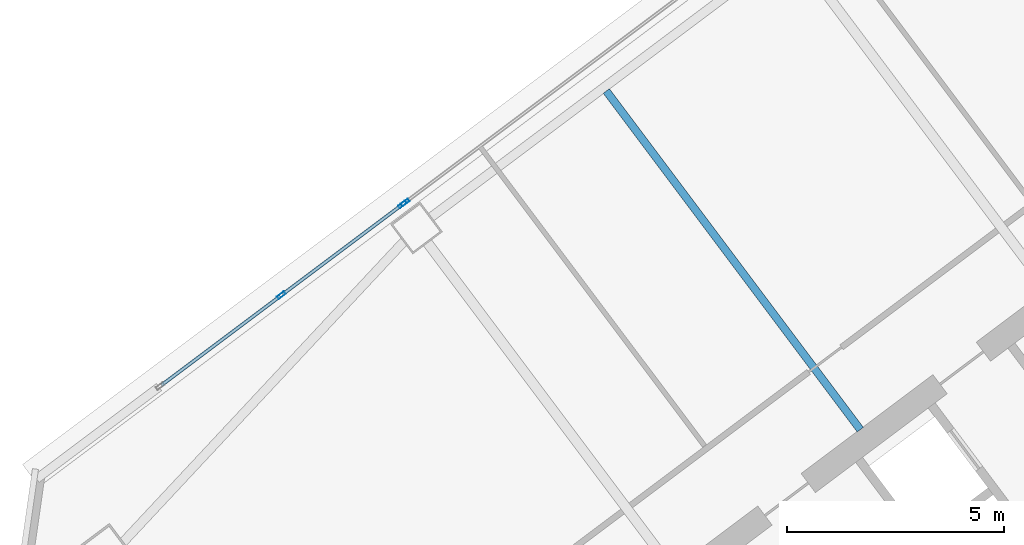
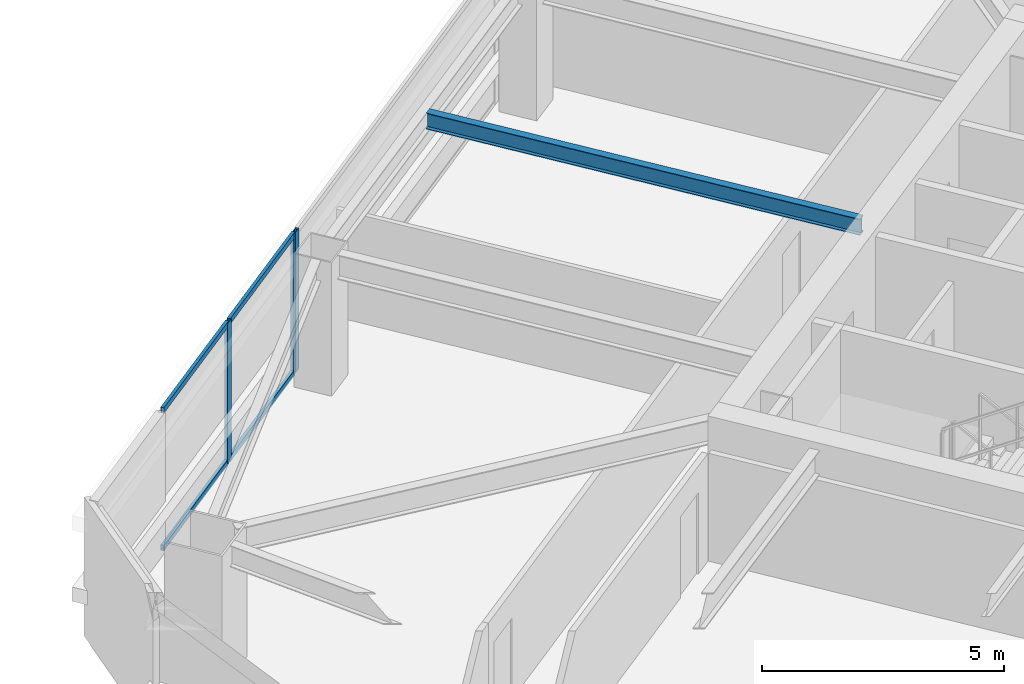
# One storey, part 27 of 44: 7 members, 1 beam, 2 elements without a shape of their own.
"""IFC4 building model written with IfcOpenShell, lengths in metres."""

from ifc_helpers import new_model, si_unit, direction, frame, origin, origin_2d, place, context, subcontext, project, spatial, hollow_rectangle, i_section, extrude, material, material_profile, profile_set, type_object, element, aggregate, save


model = new_model("IFC4")

# Units and contexts
model_context = context("Model", 3, precision=1e-05, world=origin(), true_north=direction((0.0, 1.0)))
body_context = subcontext(model_context, "Body", "Model", "MODEL_VIEW")
ifc_project = project(units=[si_unit("LENGTHUNIT", "METRE"), si_unit("AREAUNIT", "SQUARE_METRE"), si_unit("VOLUMEUNIT", "CUBIC_METRE"), si_unit("PLANEANGLEUNIT", "RADIAN"), si_unit("MASSUNIT", "GRAM", prefix="KILO")], contexts=[model_context])

# Site, building, storey
site_placement = place(None, origin())
site = spatial("IfcSite", under=ifc_project, at=site_placement, CompositionType="ELEMENT")
building_placement = place(site_placement, origin())
building = spatial("IfcBuilding", under=site, at=building_placement, Name="Tashvorn Skyway Center", CompositionType="ELEMENT")
storey_placement = place(building_placement, frame((0.0, 0.0, 149.89990234375)))
storey = spatial("IfcBuildingStorey", under=building, at=storey_placement, Name="L40", CompositionType="ELEMENT", Elevation=149.89990234375)

# Beam
ifc_material_1 = material(Name="Steel ASTM A992 Grade 50", Category="steel")
ifc_material_profile_1 = material_profile(ifc_material_1, i_section(OverallWidth=0.177978515625, OverallDepth=0.406005859375, WebThickness=0.0078125, FlangeThickness=0.0126953125, at=origin_2d()), Name="W16X40")
ifc_profile_set_1 = profile_set([ifc_material_profile_1], Name="Steel ASTM A992 Grade 50")
beam_type = type_object("IfcBeamType", Name="BM-JOIST-W16X40", PredefinedType="JOIST", material=ifc_profile_set_1)
beam_placement = place(storey_placement, frame((109.325927734375, 38.23193359375, 3.1669921875), z_axis=(-0.599991997409, 0.800006001881, 0.0), x_axis=(-0.800006001881, -0.599991997409, 0.0)))
element("IfcBeam", 1, at=beam_placement, inside=storey, type_object=beam_type, Name="Tower 2 L40 Secondary Composite Joist JN", PredefinedType="JOIST", context=body_context, shape_type="SweptSolid", body=[
    extrude(i_section(OverallWidth=0.177978515625, OverallDepth=0.406005859375, WebThickness=0.0078125, FlangeThickness=0.0126953125, at=origin_2d()), origin(), (0.0, 0.0, 1.0), 9.762451171875),
])

# Curtain wall, members
ifc_material_2 = material(Name="Thermally broken bronze-anodized aluminium 6063-T6", Category="aluminium")
curtain_wall_type = type_object("IfcCurtainWallType", Name="CW-CW-Z3", PredefinedType="NOTDEFINED", material=ifc_material_2)
curtain_wall_1_placement = place(storey_placement, origin())
curtain_wall_1 = element("IfcCurtainWall", 2, at=curtain_wall_1_placement, inside=storey, type_object=curtain_wall_type, Name="Tower 2 L40 North Unitised Curtain Wall Glazing Group 1", PredefinedType="NOTDEFINED")
ifc_material_profile_2 = material_profile(ifc_material_2, hollow_rectangle(XDim=0.074951171875, YDim=0.199951171875, WallThickness=0.00439453125, at=origin_2d()), Name="ALU-MULL-75x200")
ifc_profile_set_2 = profile_set([ifc_material_profile_2], Name="Thermally broken bronze-anodized aluminium 6063-T6")
member_type_1 = type_object("IfcMemberType", Name="CWM-CW-Z3", PredefinedType="MULLION", material=ifc_profile_set_2)
member_1_placement = place(storey_placement, frame((95.97412109375, 41.33056640625, 0.0), z_axis=(0.0, 0.0, 1.0), x_axis=(-0.600004533995, 0.799996599484, 0.0)))
member_1 = element("IfcMember", 3, at=member_1_placement, type_object=member_type_1, Name="CW-Z3 mullion 2", PredefinedType="MULLION", context=body_context, shape_type="SweptSolid", body=[
    extrude(hollow_rectangle(XDim=0.074951171875, YDim=0.199951171875, WallThickness=0.00439453125, at=origin_2d()), origin(), (0.0, 0.0, 1.0), 3.550048828125),
])
member_2_placement = place(storey_placement, frame((98.767333984375, 43.425537109375, 0.0), z_axis=(0.0, 0.0, 1.0), x_axis=(-0.600004533995, 0.799996599484, 0.0)))
member_2 = element("IfcMember", 4, at=member_2_placement, type_object=member_type_1, Name="CW-Z3 mullion 3", PredefinedType="MULLION", context=body_context, shape_type="SweptSolid", body=[
    extrude(hollow_rectangle(XDim=0.074951171875, YDim=0.199951171875, WallThickness=0.00439453125, at=origin_2d()), origin(), (0.0, 0.0, 1.0), 3.550048828125),
])

# Curtain wall, member
curtain_wall_2_placement = place(storey_placement, origin())
curtain_wall_2 = element("IfcCurtainWall", 5, at=curtain_wall_2_placement, inside=storey, type_object=curtain_wall_type, Name="Tower 2 L40 North Unitised Curtain Wall Glazing Group 2", PredefinedType="NOTDEFINED")
member_3_placement = place(storey_placement, frame((98.827392578125, 43.470458984375, 0.0), z_axis=(0.0, 0.0, 1.0), x_axis=(-0.599996977339, 0.800002266987, 0.0)))
member_3 = element("IfcMember", 6, at=member_3_placement, type_object=member_type_1, Name="CW-Z3 mullion 1", PredefinedType="MULLION", context=body_context, shape_type="SweptSolid", body=[
    extrude(hollow_rectangle(XDim=0.074951171875, YDim=0.199951171875, WallThickness=0.00439453125, at=origin_2d()), origin(), (0.0, 0.0, 1.0), 3.550048828125),
])
aggregate(curtain_wall_2, [member_3])

# Member
ifc_material_profile_3 = material_profile(ifc_material_2, hollow_rectangle(XDim=0.074951171875, YDim=0.139892578125, WallThickness=0.004150390625, at=origin_2d()), Name="ALU-TRAN-75x140")
ifc_profile_set_3 = profile_set([ifc_material_profile_3], Name="Thermally broken bronze-anodized aluminium 6063-T6")
member_type_2 = type_object("IfcMemberType", Name="CWT-CW-Z3", PredefinedType="USERDEFINED", material=ifc_profile_set_3)
member_4_placement = place(storey_placement, frame((93.211181640625, 39.25830078125, 0.03759765625), z_axis=(0.799982847995, 0.600022868659, 0.0), x_axis=(-0.600022868659, 0.799982847995, 0.0)))
member_4 = element("IfcMember", 7, at=member_4_placement, type_object=member_type_2, Name="CW-Z3 transom 1.1", ObjectType="TRANSOM", PredefinedType="USERDEFINED", context=body_context, shape_type="SweptSolid", body=[
    extrude(hollow_rectangle(XDim=0.074951171875, YDim=0.139892578125, WallThickness=0.004150390625, at=origin_2d()), origin(), (0.0, 0.0, 1.0), 3.416259765625),
])

member_5_placement = place(storey_placement, frame((93.211181640625, 39.25830078125, 3.5126953125), z_axis=(0.799982847995, 0.600022868659, 0.0), x_axis=(-0.600022868659, 0.799982847995, 0.0)))
member_5 = element("IfcMember", 8, at=member_5_placement, type_object=member_type_2, Name="CW-Z3 transom 1.2", ObjectType="TRANSOM", PredefinedType="USERDEFINED", context=body_context, shape_type="SweptSolid", body=[
    extrude(hollow_rectangle(XDim=0.074951171875, YDim=0.139892578125, WallThickness=0.004150390625, at=origin_2d()), origin(), (0.0, 0.0, 1.0), 3.416259765625),
])

member_6_placement = place(storey_placement, frame((96.004150390625, 41.353271484375, 0.03759765625), z_axis=(0.800008575267, 0.59998856614, 0.0), x_axis=(-0.59998856614, 0.800008575267, 0.0)))
member_6 = element("IfcMember", 9, at=member_6_placement, type_object=member_type_2, Name="CW-Z3 transom 2.1", ObjectType="TRANSOM", PredefinedType="USERDEFINED", context=body_context, shape_type="SweptSolid", body=[
    extrude(hollow_rectangle(XDim=0.074951171875, YDim=0.139892578125, WallThickness=0.004150390625, at=origin_2d()), origin(), (0.0, 0.0, 1.0), 3.41650390625),
])

member_7_placement = place(storey_placement, frame((96.004150390625, 41.353271484375, 3.5126953125), z_axis=(0.800008575267, 0.59998856614, 0.0), x_axis=(-0.59998856614, 0.800008575267, 0.0)))
member_7 = element("IfcMember", 10, at=member_7_placement, type_object=member_type_2, Name="CW-Z3 transom 2.2", ObjectType="TRANSOM", PredefinedType="USERDEFINED", context=body_context, shape_type="SweptSolid", body=[
    extrude(hollow_rectangle(XDim=0.074951171875, YDim=0.139892578125, WallThickness=0.004150390625, at=origin_2d()), origin(), (0.0, 0.0, 1.0), 3.41650390625),
])

aggregate(curtain_wall_1, [member_1, member_2, member_4, member_5, member_6, member_7])

save(model, "model.ifc")
